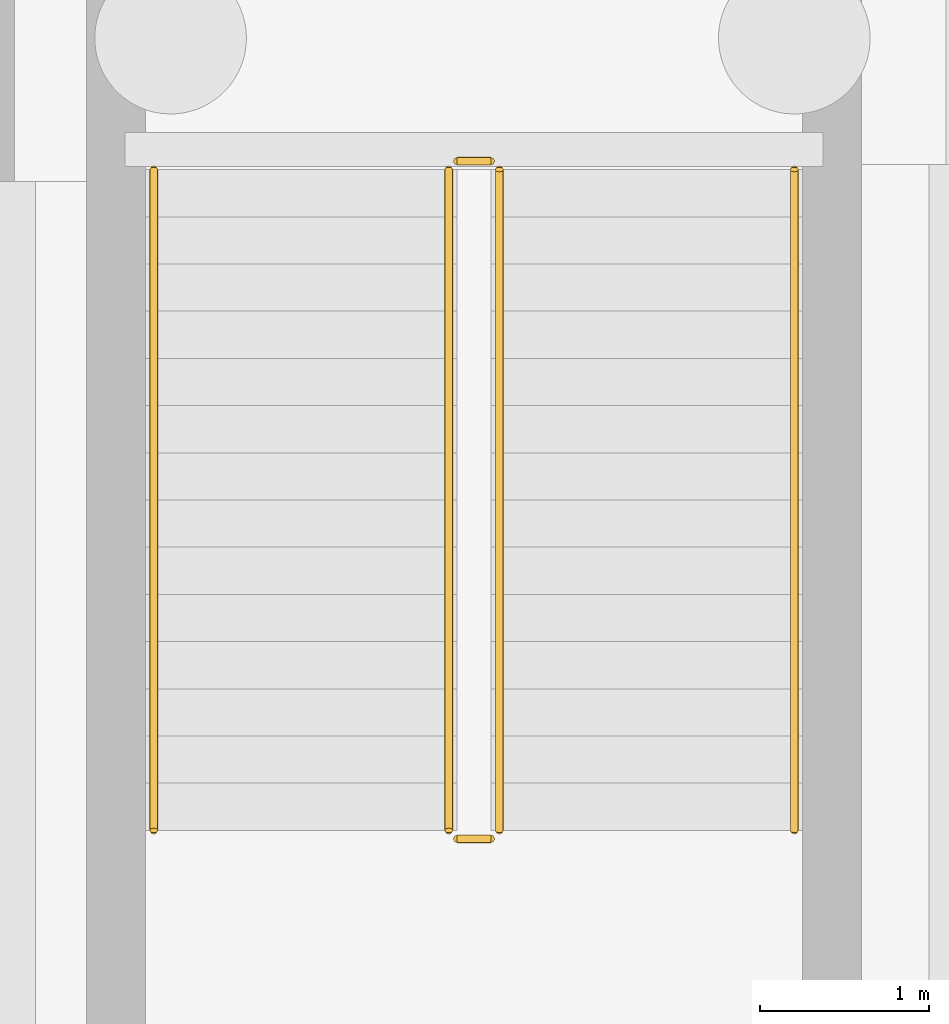
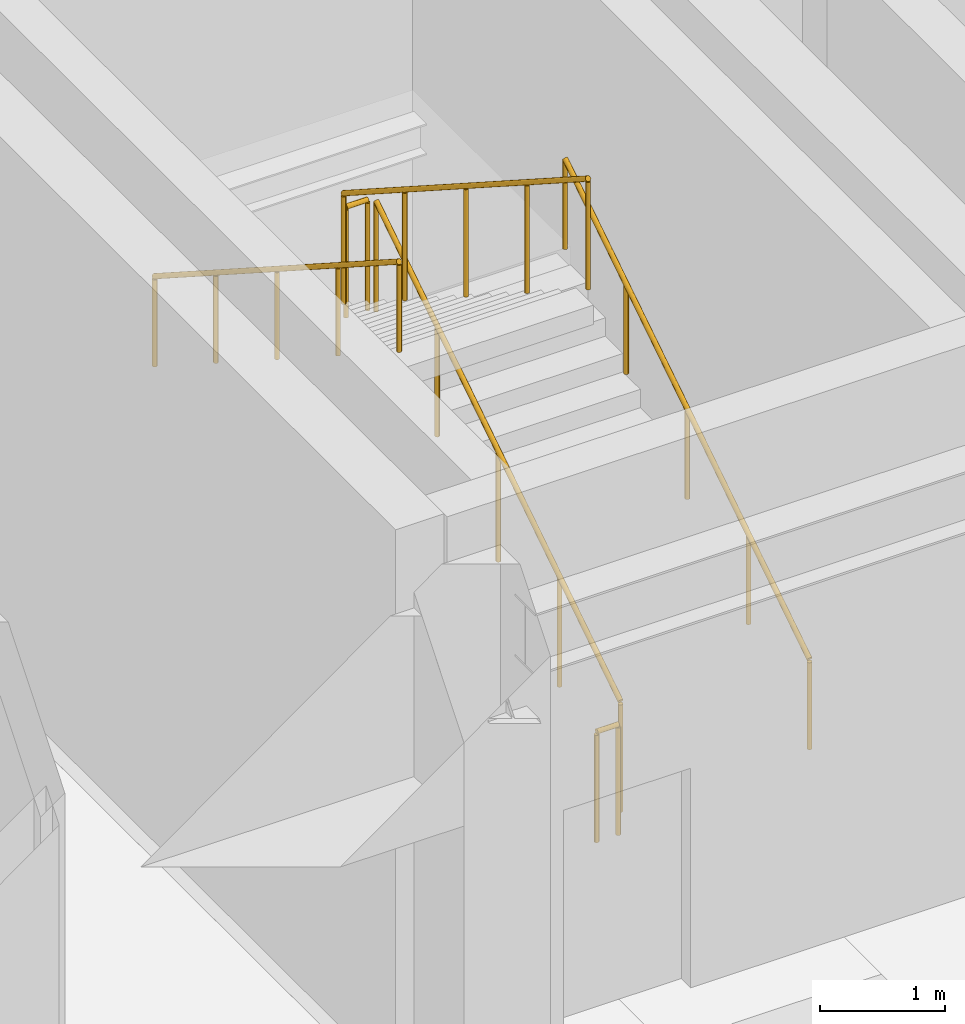
# One storey, part 64 of 69: 6 railings.
"""IFC4 building model written with IfcOpenShell, lengths in metres."""

from ifc_helpers import new_model, si_unit, direction, frame, origin, origin_2d, place, context, subcontext, project, spatial, circle, extrude, material, type_object, element, save


model = new_model("IFC4")

# Units and contexts
model_context = context("Model", 3, precision=1e-05, world=origin(), true_north=direction((0.0, 1.0)))
body_context = subcontext(model_context, "Body", "Model", "MODEL_VIEW")
ifc_project = project(units=[si_unit("LENGTHUNIT", "METRE"), si_unit("AREAUNIT", "SQUARE_METRE"), si_unit("VOLUMEUNIT", "CUBIC_METRE"), si_unit("PLANEANGLEUNIT", "RADIAN"), si_unit("MASSUNIT", "GRAM", prefix="KILO")], contexts=[model_context])

# Site, building, storey
site_placement = place(None, origin())
site = spatial("IfcSite", under=ifc_project, at=site_placement, CompositionType="ELEMENT")
building_placement = place(site_placement, origin())
building = spatial("IfcBuilding", under=site, at=building_placement, Name="Vaelkrest Opera House", CompositionType="ELEMENT")
storey_placement = place(building_placement, frame((0.0, 0.0, -5.39990234375)))
storey = spatial("IfcBuildingStorey", under=building, at=storey_placement, Name="B1", CompositionType="ELEMENT", Elevation=-5.39990234375)

# Railings
ifc_material = material(Name="Dark bronze anodized aluminium", Category="aluminium")
railing_type_1 = type_object("IfcRailingType", Name="GR02", PredefinedType="GUARDRAIL", material=ifc_material)
railing_1_placement = place(storey_placement, frame((21.10009765625, -25.64990234375, 0.179931640625)))
element("IfcRailing", 1, at=railing_1_placement, inside=storey, type_object=railing_type_1, Name="B1 ST02 stair guard 1", PredefinedType="GUARDRAIL", context=body_context, shape_type="SweptSolid", body=[
    extrude(circle(Radius=0.02392578125, at=origin_2d()), frame((0.0, 0.0, 1.076171875), z_axis=(0.0, 0.841171666519, 0.540768182723), x_axis=(-1.0, 0.0, 0.0)), (0.0, 0.0, 1.0), 4.66015625),
    extrude(circle(Radius=0.02099609375, at=origin_2d()), origin(), (0.0, 0.0, 1.0), 1.052001953125),
    extrude(circle(Radius=0.02099609375, at=origin_2d()), frame((0.0, 0.97998046875, 0.6298828125)), (0.0, 0.0, 1.0), 1.052001953125),
    extrude(circle(Radius=0.02099609375, at=origin_2d()), frame((0.0, 1.9599609375, 1.260009765625)), (0.0, 0.0, 1.0), 1.052001953125),
    extrude(circle(Radius=0.02099609375, at=origin_2d()), frame((0.0, 2.93994140625, 1.89013671875)), (0.0, 0.0, 1.0), 1.052001953125),
    extrude(circle(Radius=0.02099609375, at=origin_2d()), frame((0.0, 3.919921875, 2.52001953125)), (0.0, 0.0, 1.0), 1.052001953125),
])
railing_2_placement = place(storey_placement, frame((21.050048828125, -21.679931640625, 2.699951171875)))
element("IfcRailing", 2, at=railing_2_placement, inside=storey, type_object=railing_type_1, Name="B1 ST02 stair guard 2", PredefinedType="GUARDRAIL", context=body_context, shape_type="SweptSolid", body=[
    extrude(circle(Radius=0.02392578125, at=origin_2d()), frame((0.0, 0.0, 1.076171875), z_axis=(-1.0, 0.0, 0.0), x_axis=(0.0, -1.0, 0.0)), (0.0, 0.0, 1.0), 0.199951171875),
    extrude(circle(Radius=0.02099609375, at=origin_2d()), origin(), (0.0, 0.0, 1.0), 1.052001953125),
    extrude(circle(Radius=0.02099609375, at=origin_2d()), frame((-0.199951171875, 0.0, 0.0)), (0.0, 0.0, 1.0), 1.052001953125),
])
railing_3_placement = place(storey_placement, frame((20.800048828125, -21.72998046875, 2.8798828125)))
element("IfcRailing", 3, at=railing_3_placement, inside=storey, type_object=railing_type_1, Name="B1 ST02 stair guard 3", PredefinedType="GUARDRAIL", context=body_context, shape_type="SweptSolid", body=[
    extrude(circle(Radius=0.02392578125, at=origin_2d()), frame((0.0, 0.0, 1.076171875), z_axis=(0.0, -0.841171666519, 0.540768182723), x_axis=(1.0, 0.0, 0.0)), (0.0, 0.0, 1.0), 4.66015625),
    extrude(circle(Radius=0.02099609375, at=origin_2d()), origin(), (0.0, 0.0, 1.0), 1.052001953125),
    extrude(circle(Radius=0.02099609375, at=origin_2d()), frame((0.0, -0.97998046875, 0.6298828125)), (0.0, 0.0, 1.0), 1.052001953125),
    extrude(circle(Radius=0.02099609375, at=origin_2d()), frame((0.0, -1.9599609375, 1.260009765625)), (0.0, 0.0, 1.0), 1.052001953125),
    extrude(circle(Radius=0.02099609375, at=origin_2d()), frame((0.0, -2.93994140625, 1.89013671875)), (0.0, 0.0, 1.0), 1.052001953125),
    extrude(circle(Radius=0.02099609375, at=origin_2d()), frame((0.0, -3.919921875, 2.52001953125)), (0.0, 0.0, 1.0), 1.052001953125),
])
railing_4_placement = place(storey_placement, frame((21.050048828125, -25.699951171875, 0.0)))
element("IfcRailing", 4, at=railing_4_placement, inside=storey, type_object=railing_type_1, Name="B1 ST02 stair guard 4", PredefinedType="GUARDRAIL", context=body_context, shape_type="SweptSolid", body=[
    extrude(circle(Radius=0.02392578125, at=origin_2d()), frame((0.0, 0.0, 1.076171875), z_axis=(-1.0, 0.0, 0.0), x_axis=(0.0, -1.0, 0.0)), (0.0, 0.0, 1.0), 0.199951171875),
    extrude(circle(Radius=0.02099609375, at=origin_2d()), origin(), (0.0, 0.0, 1.0), 1.052001953125),
    extrude(circle(Radius=0.02099609375, at=origin_2d()), frame((-0.199951171875, 0.0, 0.0)), (0.0, 0.0, 1.0), 1.052001953125),
])
railing_type_2 = type_object("IfcRailingType", Name="HR02", PredefinedType="HANDRAIL", material=ifc_material)
railing_5_placement = place(storey_placement, frame((22.85009765625, -25.64990234375, 0.179931640625)))
element("IfcRailing", 5, at=railing_5_placement, inside=storey, type_object=railing_type_2, Name="B1 ST02 stair handrail 1", PredefinedType="HANDRAIL", context=body_context, shape_type="SweptSolid", body=[
    extrude(circle(Radius=0.02392578125, at=origin_2d()), frame((0.0, 0.0, 0.8759765625), z_axis=(0.0, 0.841171666519, 0.540768182723), x_axis=(-1.0, 0.0, 0.0)), (0.0, 0.0, 1.0), 4.66015625),
    extrude(circle(Radius=0.02099609375, at=origin_2d()), origin(), (0.0, 0.0, 1.0), 0.851806640625),
    extrude(circle(Radius=0.02099609375, at=origin_2d()), frame((0.0, 0.97998046875, 0.6298828125)), (0.0, 0.0, 1.0), 0.851806640625),
    extrude(circle(Radius=0.02099609375, at=origin_2d()), frame((0.0, 1.9599609375, 1.260009765625)), (0.0, 0.0, 1.0), 0.851806640625),
    extrude(circle(Radius=0.02099609375, at=origin_2d()), frame((0.0, 2.93994140625, 1.89013671875)), (0.0, 0.0, 1.0), 0.851806640625),
    extrude(circle(Radius=0.02099609375, at=origin_2d()), frame((0.0, 3.919921875, 2.52001953125)), (0.0, 0.0, 1.0), 0.851806640625),
])
railing_6_placement = place(storey_placement, frame((19.050048828125, -21.72998046875, 2.8798828125)))
element("IfcRailing", 6, at=railing_6_placement, inside=storey, type_object=railing_type_2, Name="B1 ST02 stair handrail 2", PredefinedType="HANDRAIL", context=body_context, shape_type="SweptSolid", body=[
    extrude(circle(Radius=0.02392578125, at=origin_2d()), frame((0.0, 0.0, 0.8759765625), z_axis=(0.0, -0.841171666519, 0.540768182723), x_axis=(1.0, 0.0, 0.0)), (0.0, 0.0, 1.0), 4.66015625),
    extrude(circle(Radius=0.02099609375, at=origin_2d()), origin(), (0.0, 0.0, 1.0), 0.851806640625),
    extrude(circle(Radius=0.02099609375, at=origin_2d()), frame((0.0, -0.97998046875, 0.6298828125)), (0.0, 0.0, 1.0), 0.851806640625),
    extrude(circle(Radius=0.02099609375, at=origin_2d()), frame((0.0, -1.9599609375, 1.260009765625)), (0.0, 0.0, 1.0), 0.851806640625),
    extrude(circle(Radius=0.02099609375, at=origin_2d()), frame((0.0, -2.93994140625, 1.89013671875)), (0.0, 0.0, 1.0), 0.851806640625),
    extrude(circle(Radius=0.02099609375, at=origin_2d()), frame((0.0, -3.919921875, 2.52001953125)), (0.0, 0.0, 1.0), 0.851806640625),
])

save(model, "model.ifc")
